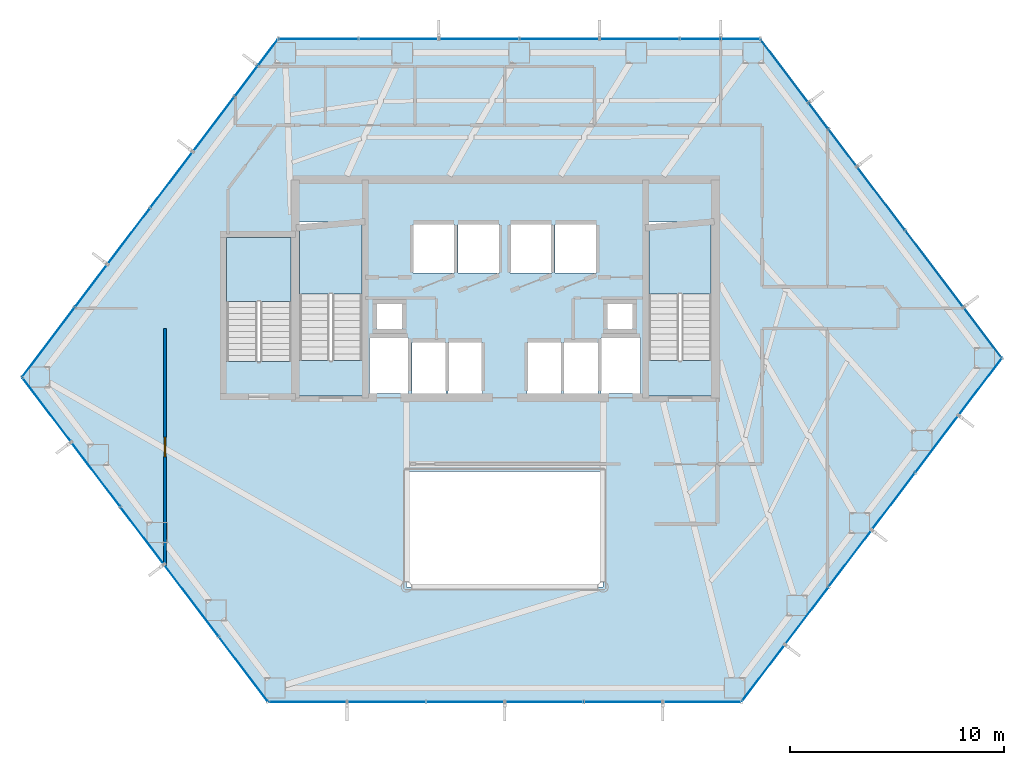
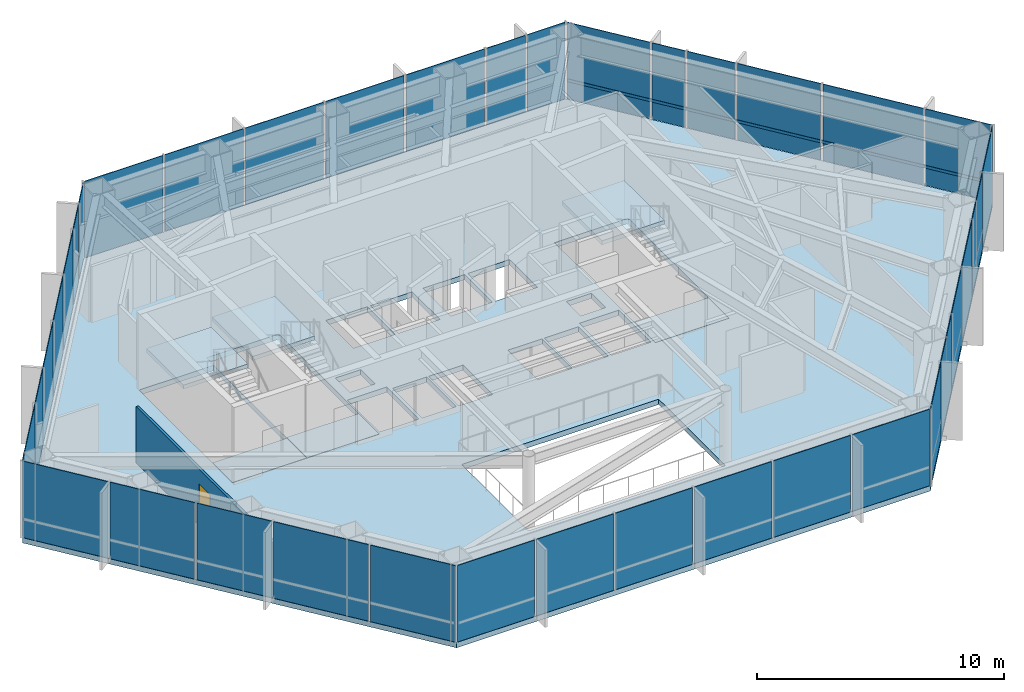
# One storey, part 21 of 25: 37 plates, 7 slabs, 1 door, 1 member, 1 wall, 1 opening, 9 elements without a shape of their own.
"""IFC4 building model written with IfcOpenShell, lengths in metres."""

from ifc_helpers import new_model, si_unit, direction, frame, frame_2d, origin, origin_2d, place, context, subcontext, project, spatial, polyline, rectangle, hollow_rectangle, outline, extrude, material, layer, layer_set, material_profile, profile_set, type_object, element, fill, aggregate, save


model = new_model("IFC4")

# Units and contexts
model_context = context("Model", 3, precision=1e-05, world=origin(), true_north=direction((0.0, 1.0)))
body_context = subcontext(model_context, "Body", "Model", "MODEL_VIEW")
ifc_project = project(units=[si_unit("LENGTHUNIT", "METRE"), si_unit("AREAUNIT", "SQUARE_METRE"), si_unit("VOLUMEUNIT", "CUBIC_METRE"), si_unit("PLANEANGLEUNIT", "RADIAN"), si_unit("MASSUNIT", "GRAM", prefix="KILO")], contexts=[model_context])

# Site, building, storey
site_placement = place(None, origin())
site = spatial("IfcSite", under=ifc_project, at=site_placement, CompositionType="ELEMENT")
building_placement = place(site_placement, origin())
building = spatial("IfcBuilding", under=site, at=building_placement, Name="Zarrinselat Tower", CompositionType="ELEMENT")
storey_placement = place(building_placement, frame((0.0, 0.0, 43.860107421875)))
storey = spatial("IfcBuildingStorey", under=building, at=storey_placement, Name="L10", CompositionType="ELEMENT", Elevation=43.860107421875)

# Curtain wall, member
ifc_material_1 = material(Name="Extruded Aluminium Alloy EN AW-6063 T6", Category="aluminium")
ifc_layer_1 = layer(ifc_material_1, 0.18505859375)
ifc_layer_set_1 = layer_set([ifc_layer_1], Name="Extruded Aluminium Alloy EN AW-6063 T6")
curtain_wall_type = type_object("IfcCurtainWallType", Name="CWS-OFF", PredefinedType="NOTDEFINED", material=ifc_layer_set_1)
curtain_wall_1_placement = place(storey_placement, origin())
curtain_wall_1 = element("IfcCurtainWall", 1, at=curtain_wall_1_placement, inside=storey, type_object=curtain_wall_type, Name="L10 Unitised Curtain Wall CW-L10-E06", PredefinedType="NOTDEFINED")
ifc_material_2 = material(Name="Extruded Aluminium Alloy EN AW-6063 T6", Category="aluminium")
ifc_material_profile = material_profile(ifc_material_2, hollow_rectangle(XDim=0.06005859375, YDim=0.139892578125, WallThickness=0.00390625, at=origin_2d()), Name="RHS 140x60x4")
ifc_profile_set = profile_set([ifc_material_profile], Name="Extruded Aluminium Alloy EN AW-6063 T6")
member_type = type_object("IfcMemberType", Name="MEM-CW-TRN", PredefinedType="USERDEFINED", material=ifc_profile_set)
member_placement = place(storey_placement, frame((61.6083984375, 35.1826171875, 0.949951171875), z_axis=(-0.60385819465, 0.797091764324, 0.0), x_axis=(-0.797091764324, -0.60385819465, 0.0)))
member = element("IfcMember", 2, at=member_placement, type_object=member_type, Name="CW-L10-E06 Transom 1", ObjectType="TRANSOM", PredefinedType="USERDEFINED", context=body_context, shape_type="SweptSolid", body=[
    extrude(hollow_rectangle(XDim=0.06005859375, YDim=0.139892578125, WallThickness=0.00390625, at=origin_2d()), origin(), (0.0, 0.0, 1.0), 18.554931640625),
])

# Curtain wall, plates
curtain_wall_2_placement = place(storey_placement, origin())
curtain_wall_2 = element("IfcCurtainWall", 3, at=curtain_wall_2_placement, inside=storey, type_object=curtain_wall_type, Name="L10 Unitised Curtain Wall CW-L10-E01", PredefinedType="NOTDEFINED")
ifc_material_3 = material(Name="Double Low-E Laminated Solar Glass", Category="glass")
ifc_layer_2 = layer(ifc_material_3, 0.031982421875)
ifc_layer_set_2 = layer_set([ifc_layer_2], Name="Double Low-E Laminated Solar Glass")
plate_type = type_object("IfcPlateType", Name="PLT-CW-GL32", PredefinedType="CURTAIN_PANEL", material=ifc_layer_set_2)
plate_1_placement = place(storey_placement, frame((49.4248046875, 50.04443359375, 0.02001953125), z_axis=(0.0, 0.0, 1.0), x_axis=(-1.0, 0.0, 0.0)))
plate_1 = element("IfcPlate", 4, at=plate_1_placement, type_object=plate_type, Name="CW-L10-E01 Vision Glass Panel 1", PredefinedType="CURTAIN_PANEL", context=body_context, shape_type="SweptSolid", body=[
    extrude(rectangle(XDim=1.74951171875, YDim=0.031982421875, at=origin_2d()), origin(), (0.0, 0.0, 1.0), 3.780029296875),
])
plate_2_placement = place(storey_placement, frame((47.54541015625, 50.04443359375, 0.02001953125), z_axis=(0.0, 0.0, 1.0), x_axis=(-1.0, 0.0, 0.0)))
plate_2 = element("IfcPlate", 5, at=plate_2_placement, type_object=plate_type, Name="CW-L10-E01 Vision Glass Panel 2", PredefinedType="CURTAIN_PANEL", context=body_context, shape_type="SweptSolid", body=[
    extrude(rectangle(XDim=1.80908203125, YDim=0.031982421875, at=origin_2d()), origin(), (0.0, 0.0, 1.0), 3.780029296875),
])
plate_3_placement = place(storey_placement, frame((44.7119140625, 50.04443359375, 0.02001953125), z_axis=(0.0, 0.0, 1.0), x_axis=(-1.0, 0.0, 0.0)))
plate_3 = element("IfcPlate", 6, at=plate_3_placement, type_object=plate_type, Name="CW-L10-E01 Vision Glass Panel 3", PredefinedType="CURTAIN_PANEL", context=body_context, shape_type="SweptSolid", body=[
    extrude(rectangle(XDim=3.658447265625, YDim=0.031982421875, at=origin_2d()), origin(), (0.0, 0.0, 1.0), 3.780029296875),
])
plate_4_placement = place(storey_placement, frame((40.953369140625, 50.04443359375, 0.02001953125), z_axis=(0.0, 0.0, 1.0), x_axis=(-1.0, 0.0, 0.0)))
plate_4 = element("IfcPlate", 7, at=plate_4_placement, type_object=plate_type, Name="CW-L10-E01 Vision Glass Panel 4", PredefinedType="CURTAIN_PANEL", context=body_context, shape_type="SweptSolid", body=[
    extrude(rectangle(XDim=3.658447265625, YDim=0.031982421875, at=origin_2d()), origin(), (0.0, 0.0, 1.0), 3.780029296875),
])
plate_5_placement = place(storey_placement, frame((37.195068359375, 50.04443359375, 0.02001953125), z_axis=(0.0, 0.0, 1.0), x_axis=(-1.0, 0.0, 0.0)))
plate_5 = element("IfcPlate", 8, at=plate_5_placement, type_object=plate_type, Name="CW-L10-E01 Vision Glass Panel 5", PredefinedType="CURTAIN_PANEL", context=body_context, shape_type="SweptSolid", body=[
    extrude(rectangle(XDim=3.658447265625, YDim=0.031982421875, at=origin_2d()), origin(), (0.0, 0.0, 1.0), 3.780029296875),
])
plate_6_placement = place(storey_placement, frame((33.436767578125, 50.04443359375, 0.02001953125), z_axis=(0.0, 0.0, 1.0), x_axis=(-1.0, 0.0, 0.0)))
plate_6 = element("IfcPlate", 9, at=plate_6_placement, type_object=plate_type, Name="CW-L10-E01 Vision Glass Panel 6", PredefinedType="CURTAIN_PANEL", context=body_context, shape_type="SweptSolid", body=[
    extrude(rectangle(XDim=3.658447265625, YDim=0.031982421875, at=origin_2d()), origin(), (0.0, 0.0, 1.0), 3.780029296875),
])
plate_7_placement = place(storey_placement, frame((29.67822265625, 50.04443359375, 0.02001953125), z_axis=(0.0, 0.0, 1.0), x_axis=(-1.0, 0.0, 0.0)))
plate_7 = element("IfcPlate", 10, at=plate_7_placement, type_object=plate_type, Name="CW-L10-E01 Vision Glass Panel 7", PredefinedType="CURTAIN_PANEL", context=body_context, shape_type="SweptSolid", body=[
    extrude(rectangle(XDim=3.658447265625, YDim=0.031982421875, at=origin_2d()), origin(), (0.0, 0.0, 1.0), 3.780029296875),
])
aggregate(curtain_wall_2, [plate_1, plate_2, plate_3, plate_4, plate_5, plate_6, plate_7])

curtain_wall_3_placement = place(storey_placement, origin())
curtain_wall_3 = element("IfcCurtainWall", 11, at=curtain_wall_3_placement, inside=storey, type_object=curtain_wall_type, Name="L10 Unitised Curtain Wall CW-L10-E02", PredefinedType="NOTDEFINED")
plate_8_placement = place(storey_placement, frame((27.322509765625, 49.415283203125, 0.02001953125), z_axis=(0.0, 0.0, 1.0), x_axis=(-0.603856912101, -0.797092735952, 0.0)))
plate_8 = element("IfcPlate", 12, at=plate_8_placement, type_object=plate_type, Name="CW-L10-E02 Vision Glass Panel 1", PredefinedType="CURTAIN_PANEL", context=body_context, shape_type="SweptSolid", body=[
    extrude(rectangle(XDim=1.478515625, YDim=0.031982421875, at=origin_2d()), origin(), (0.0, 0.0, 1.0), 3.780029296875),
])
plate_9_placement = place(storey_placement, frame((26.299072265625, 48.064208984375, 0.02001953125), z_axis=(0.0, 0.0, 1.0), x_axis=(-0.603856912101, -0.797092735952, 0.0)))
plate_9 = element("IfcPlate", 13, at=plate_9_placement, type_object=plate_type, Name="CW-L10-E02 Vision Glass Panel 2", PredefinedType="CURTAIN_PANEL", context=body_context, shape_type="SweptSolid", body=[
    extrude(rectangle(XDim=1.711181640625, YDim=0.031982421875, at=origin_2d()), origin(), (0.0, 0.0, 1.0), 3.780029296875),
])
plate_10_placement = place(storey_placement, frame((24.777587890625, 46.05615234375, 0.02001953125), z_axis=(0.0, 0.0, 1.0), x_axis=(-0.603856912101, -0.797092735952, 0.0)))
plate_10 = element("IfcPlate", 14, at=plate_10_placement, type_object=plate_type, Name="CW-L10-E02 Vision Glass Panel 3", PredefinedType="CURTAIN_PANEL", context=body_context, shape_type="SweptSolid", body=[
    extrude(rectangle(XDim=3.12744140625, YDim=0.031982421875, at=origin_2d()), origin(), (0.0, 0.0, 1.0), 3.780029296875),
])
plate_11_placement = place(storey_placement, frame((22.80419921875, 43.451416015625, 0.02001953125), z_axis=(0.0, 0.0, 1.0), x_axis=(-0.603856912101, -0.797092735952, 0.0)))
plate_11 = element("IfcPlate", 15, at=plate_11_placement, type_object=plate_type, Name="CW-L10-E02 Vision Glass Panel 4", PredefinedType="CURTAIN_PANEL", context=body_context, shape_type="SweptSolid", body=[
    extrude(rectangle(XDim=3.20849609375, YDim=0.031982421875, at=origin_2d()), origin(), (0.0, 0.0, 1.0), 3.780029296875),
])
plate_12_placement = place(storey_placement, frame((20.806396484375, 40.814208984375, 0.02001953125), z_axis=(0.0, 0.0, 1.0), x_axis=(-0.603856912101, -0.797092735952, 0.0)))
plate_12 = element("IfcPlate", 16, at=plate_12_placement, type_object=plate_type, Name="CW-L10-E02 Vision Glass Panel 5", PredefinedType="CURTAIN_PANEL", context=body_context, shape_type="SweptSolid", body=[
    extrude(rectangle(XDim=3.20849609375, YDim=0.031982421875, at=origin_2d()), origin(), (0.0, 0.0, 1.0), 3.780029296875),
])
plate_13_placement = place(storey_placement, frame((19.04638671875, 38.490966796875, 0.02001953125), z_axis=(0.0, 0.0, 1.0), x_axis=(-0.603856912101, -0.797092735952, 0.0)))
plate_13 = element("IfcPlate", 17, at=plate_13_placement, type_object=plate_type, Name="CW-L10-E02 Vision Glass Panel 6", PredefinedType="CURTAIN_PANEL", context=body_context, shape_type="SweptSolid", body=[
    extrude(rectangle(XDim=2.420654296875, YDim=0.031982421875, at=origin_2d()), origin(), (0.0, 0.0, 1.0), 3.780029296875),
])
plate_14_placement = place(storey_placement, frame((17.048583984375, 35.853515625, 0.02001953125), z_axis=(0.0, 0.0, 1.0), x_axis=(-0.603856912101, -0.797092735952, 0.0)))
plate_14 = element("IfcPlate", 18, at=plate_14_placement, type_object=plate_type, Name="CW-L10-E02 Vision Glass Panel 7", PredefinedType="CURTAIN_PANEL", context=body_context, shape_type="SweptSolid", body=[
    extrude(rectangle(XDim=3.996337890625, YDim=0.031982421875, at=origin_2d()), origin(), (0.0, 0.0, 1.0), 3.780029296875),
])
aggregate(curtain_wall_3, [plate_8, plate_9, plate_10, plate_11, plate_12, plate_13, plate_14])

curtain_wall_4_placement = place(storey_placement, origin())
curtain_wall_4 = element("IfcCurtainWall", 19, at=curtain_wall_4_placement, inside=storey, type_object=curtain_wall_type, Name="L10 Unitised Curtain Wall CW-L10-E03", PredefinedType="NOTDEFINED")
plate_15_placement = place(storey_placement, frame((16.963134765625, 32.701171875, 0.02001953125), z_axis=(0.0, 0.0, 1.0), x_axis=(0.603857284091, -0.797092454142, 0.0)))
plate_15 = element("IfcPlate", 20, at=plate_15_placement, type_object=plate_type, Name="CW-L10-E03 Vision Glass Panel 1", PredefinedType="CURTAIN_PANEL", context=body_context, shape_type="SweptSolid", body=[
    extrude(rectangle(XDim=3.71337890625, YDim=0.031982421875, at=origin_2d()), origin(), (0.0, 0.0, 1.0), 3.780029296875),
])
plate_16_placement = place(storey_placement, frame((19.265869140625, 29.66162109375, 0.02001953125), z_axis=(0.0, 0.0, 1.0), x_axis=(0.603857284091, -0.797092454142, 0.0)))
plate_16 = element("IfcPlate", 21, at=plate_16_placement, type_object=plate_type, Name="CW-L10-E03 Vision Glass Panel 2", PredefinedType="CURTAIN_PANEL", context=body_context, shape_type="SweptSolid", body=[
    extrude(rectangle(XDim=3.71337890625, YDim=0.031982421875, at=origin_2d()), origin(), (0.0, 0.0, 1.0), 3.780029296875),
])
plate_17_placement = place(storey_placement, frame((21.434814453125, 26.798583984375, 0.02001953125), z_axis=(0.0, 0.0, 1.0), x_axis=(0.603857284091, -0.797092454142, 0.0)))
plate_17 = element("IfcPlate", 22, at=plate_17_placement, type_object=plate_type, Name="CW-L10-E03 Vision Glass Panel 3", PredefinedType="CURTAIN_PANEL", context=body_context, shape_type="SweptSolid", body=[
    extrude(rectangle(XDim=3.27001953125, YDim=0.031982421875, at=origin_2d()), origin(), (0.0, 0.0, 1.0), 3.780029296875),
])
plate_18_placement = place(storey_placement, frame((23.7373046875, 23.759033203125, 0.02001953125), z_axis=(0.0, 0.0, 1.0), x_axis=(0.603857284091, -0.797092454142, 0.0)))
plate_18 = element("IfcPlate", 23, at=plate_18_placement, type_object=plate_type, Name="CW-L10-E03 Vision Glass Panel 4", PredefinedType="CURTAIN_PANEL", context=body_context, shape_type="SweptSolid", body=[
    extrude(rectangle(XDim=4.15673828125, YDim=0.031982421875, at=origin_2d()), origin(), (0.0, 0.0, 1.0), 3.780029296875),
])
plate_19_placement = place(storey_placement, frame((26.174072265625, 20.542724609375, 0.02001953125), z_axis=(0.0, 0.0, 1.0), x_axis=(0.603857284091, -0.797092454142, 0.0)))
plate_19 = element("IfcPlate", 24, at=plate_19_placement, type_object=plate_type, Name="CW-L10-E03 Vision Glass Panel 5", PredefinedType="CURTAIN_PANEL", context=body_context, shape_type="SweptSolid", body=[
    extrude(rectangle(XDim=3.71337890625, YDim=0.031982421875, at=origin_2d()), origin(), (0.0, 0.0, 1.0), 3.780029296875),
])
aggregate(curtain_wall_4, [plate_15, plate_16, plate_17, plate_18, plate_19])

curtain_wall_5_placement = place(storey_placement, origin())
curtain_wall_5 = element("IfcCurtainWall", 25, at=curtain_wall_5_placement, inside=storey, type_object=curtain_wall_type, Name="L10 Unitised Curtain Wall CW-L10-E04", PredefinedType="NOTDEFINED")
plate_20_placement = place(storey_placement, frame((29.171142578125, 19.02294921875, 0.02001953125), z_axis=(0.0, 0.0, 1.0), x_axis=(1.0, 0.0, 0.0)))
plate_20 = element("IfcPlate", 26, at=plate_20_placement, type_object=plate_type, Name="CW-L10-E04 Vision Glass Panel 1", PredefinedType="CURTAIN_PANEL", context=body_context, shape_type="SweptSolid", body=[
    extrude(rectangle(XDim=3.591552734375, YDim=0.031982421875, at=origin_2d()), origin(), (0.0, 0.0, 1.0), 3.780029296875),
])
plate_21_placement = place(storey_placement, frame((32.86279296875, 19.02294921875, 0.02001953125), z_axis=(0.0, 0.0, 1.0), x_axis=(1.0, 0.0, 0.0)))
plate_21 = element("IfcPlate", 27, at=plate_21_placement, type_object=plate_type, Name="CW-L10-E04 Vision Glass Panel 2", PredefinedType="CURTAIN_PANEL", context=body_context, shape_type="SweptSolid", body=[
    extrude(rectangle(XDim=3.591552734375, YDim=0.031982421875, at=origin_2d()), origin(), (0.0, 0.0, 1.0), 3.780029296875),
])
plate_22_placement = place(storey_placement, frame((36.55419921875, 19.02294921875, 0.02001953125), z_axis=(0.0, 0.0, 1.0), x_axis=(1.0, 0.0, 0.0)))
plate_22 = element("IfcPlate", 28, at=plate_22_placement, type_object=plate_type, Name="CW-L10-E04 Vision Glass Panel 3", PredefinedType="CURTAIN_PANEL", context=body_context, shape_type="SweptSolid", body=[
    extrude(rectangle(XDim=3.591552734375, YDim=0.031982421875, at=origin_2d()), origin(), (0.0, 0.0, 1.0), 3.780029296875),
])
plate_23_placement = place(storey_placement, frame((40.245849609375, 19.02294921875, 0.02001953125), z_axis=(0.0, 0.0, 1.0), x_axis=(1.0, 0.0, 0.0)))
plate_23 = element("IfcPlate", 29, at=plate_23_placement, type_object=plate_type, Name="CW-L10-E04 Vision Glass Panel 4", PredefinedType="CURTAIN_PANEL", context=body_context, shape_type="SweptSolid", body=[
    extrude(rectangle(XDim=3.591552734375, YDim=0.031982421875, at=origin_2d()), origin(), (0.0, 0.0, 1.0), 3.780029296875),
])
plate_24_placement = place(storey_placement, frame((43.937255859375, 19.02294921875, 0.02001953125), z_axis=(0.0, 0.0, 1.0), x_axis=(1.0, 0.0, 0.0)))
plate_24 = element("IfcPlate", 30, at=plate_24_placement, type_object=plate_type, Name="CW-L10-E04 Vision Glass Panel 5", PredefinedType="CURTAIN_PANEL", context=body_context, shape_type="SweptSolid", body=[
    extrude(rectangle(XDim=3.591552734375, YDim=0.031982421875, at=origin_2d()), origin(), (0.0, 0.0, 1.0), 3.780029296875),
])
plate_25_placement = place(storey_placement, frame((47.62890625, 19.02294921875, 0.02001953125), z_axis=(0.0, 0.0, 1.0), x_axis=(1.0, 0.0, 0.0)))
plate_25 = element("IfcPlate", 31, at=plate_25_placement, type_object=plate_type, Name="CW-L10-E04 Vision Glass Panel 6", PredefinedType="CURTAIN_PANEL", context=body_context, shape_type="SweptSolid", body=[
    extrude(rectangle(XDim=3.591552734375, YDim=0.031982421875, at=origin_2d()), origin(), (0.0, 0.0, 1.0), 3.780029296875),
])
aggregate(curtain_wall_5, [plate_20, plate_21, plate_22, plate_23, plate_24, plate_25])

curtain_wall_6_placement = place(storey_placement, origin())
curtain_wall_6 = element("IfcCurtainWall", 32, at=curtain_wall_6_placement, inside=storey, type_object=curtain_wall_type, Name="L10 Unitised Curtain Wall CW-L10-E05", PredefinedType="NOTDEFINED")
plate_26_placement = place(storey_placement, frame((50.490234375, 20.363525390625, 0.02001953125), z_axis=(0.0, 0.0, 1.0), x_axis=(0.603859118859, 0.797091064164, 0.0)))
plate_26 = element("IfcPlate", 33, at=plate_26_placement, type_object=plate_type, Name="CW-L10-E05 Vision Glass Panel 1", PredefinedType="CURTAIN_PANEL", context=body_context, shape_type="SweptSolid", body=[
    extrude(rectangle(XDim=3.263916015625, YDim=0.031982421875, at=origin_2d()), origin(), (0.0, 0.0, 1.0), 3.780029296875),
])
plate_27_placement = place(storey_placement, frame((52.52685546875, 23.052001953125, 0.02001953125), z_axis=(0.0, 0.0, 1.0), x_axis=(0.603859118859, 0.797091064164, 0.0)))
plate_27 = element("IfcPlate", 34, at=plate_27_placement, type_object=plate_type, Name="CW-L10-E05 Vision Glass Panel 2", PredefinedType="CURTAIN_PANEL", context=body_context, shape_type="SweptSolid", body=[
    extrude(rectangle(XDim=3.281494140625, YDim=0.031982421875, at=origin_2d()), origin(), (0.0, 0.0, 1.0), 3.780029296875),
])
plate_28_placement = place(storey_placement, frame((54.55810546875, 25.7333984375, 0.02001953125), z_axis=(0.0, 0.0, 1.0), x_axis=(0.603859118859, 0.797091064164, 0.0)))
plate_28 = element("IfcPlate", 35, at=plate_28_placement, type_object=plate_type, Name="CW-L10-E05 Vision Glass Panel 3", PredefinedType="CURTAIN_PANEL", context=body_context, shape_type="SweptSolid", body=[
    extrude(rectangle(XDim=3.246337890625, YDim=0.031982421875, at=origin_2d()), origin(), (0.0, 0.0, 1.0), 3.780029296875),
])
plate_29_placement = place(storey_placement, frame((56.584228515625, 28.40771484375, 0.02001953125), z_axis=(0.0, 0.0, 1.0), x_axis=(0.603859118859, 0.797091064164, 0.0)))
plate_29 = element("IfcPlate", 36, at=plate_29_placement, type_object=plate_type, Name="CW-L10-E05 Vision Glass Panel 4", PredefinedType="CURTAIN_PANEL", context=body_context, shape_type="SweptSolid", body=[
    extrude(rectangle(XDim=3.263916015625, YDim=0.031982421875, at=origin_2d()), origin(), (0.0, 0.0, 1.0), 3.780029296875),
])
plate_30_placement = place(storey_placement, frame((58.615478515625, 31.089111328125, 0.02001953125), z_axis=(0.0, 0.0, 1.0), x_axis=(0.603859118859, 0.797091064164, 0.0)))
plate_30 = element("IfcPlate", 37, at=plate_30_placement, type_object=plate_type, Name="CW-L10-E05 Vision Glass Panel 5", PredefinedType="CURTAIN_PANEL", context=body_context, shape_type="SweptSolid", body=[
    extrude(rectangle(XDim=3.263916015625, YDim=0.031982421875, at=origin_2d()), origin(), (0.0, 0.0, 1.0), 3.780029296875),
])
plate_31_placement = place(storey_placement, frame((60.64697265625, 33.770263671875, 0.02001953125), z_axis=(0.0, 0.0, 1.0), x_axis=(0.603859118859, 0.797091064164, 0.0)))
plate_31 = element("IfcPlate", 38, at=plate_31_placement, type_object=plate_type, Name="CW-L10-E05 Vision Glass Panel 6", PredefinedType="CURTAIN_PANEL", context=body_context, shape_type="SweptSolid", body=[
    extrude(rectangle(XDim=3.263916015625, YDim=0.031982421875, at=origin_2d()), origin(), (0.0, 0.0, 1.0), 3.780029296875),
])
aggregate(curtain_wall_6, [plate_26, plate_27, plate_28, plate_29, plate_30, plate_31])

# Plate
plate_32_placement = place(storey_placement, frame((60.762939453125, 36.298583984375, 0.02001953125), z_axis=(0.0, 0.0, 1.0), x_axis=(-0.603858304597, 0.797091681031, 0.0)))
plate_32 = element("IfcPlate", 39, at=plate_32_placement, type_object=plate_type, Name="CW-L10-E06 Vision Glass Panel 1", PredefinedType="CURTAIN_PANEL", context=body_context, shape_type="SweptSolid", body=[
    extrude(rectangle(XDim=2.8798828125, YDim=0.031982421875, at=origin_2d()), origin(), (0.0, 0.0, 1.0), 3.780029296875),
])

plate_33_placement = place(storey_placement, frame((58.500244140625, 39.285400390625, 0.02001953125), z_axis=(0.0, 0.0, 1.0), x_axis=(-0.603858304597, 0.797091681031, 0.0)))
plate_33 = element("IfcPlate", 40, at=plate_33_placement, type_object=plate_type, Name="CW-L10-E06 Vision Glass Panel 2", PredefinedType="CURTAIN_PANEL", context=body_context, shape_type="SweptSolid", body=[
    extrude(rectangle(XDim=4.4140625, YDim=0.031982421875, at=origin_2d()), origin(), (0.0, 0.0, 1.0), 3.780029296875),
])

plate_34_placement = place(storey_placement, frame((56.006103515625, 42.57763671875, 0.02001953125), z_axis=(0.0, 0.0, 1.0), x_axis=(-0.603858304597, 0.797091681031, 0.0)))
plate_34 = element("IfcPlate", 41, at=plate_34_placement, type_object=plate_type, Name="CW-L10-E06 Vision Glass Panel 3", PredefinedType="CURTAIN_PANEL", context=body_context, shape_type="SweptSolid", body=[
    extrude(rectangle(XDim=3.64697265625, YDim=0.031982421875, at=origin_2d()), origin(), (0.0, 0.0, 1.0), 3.780029296875),
])

plate_35_placement = place(storey_placement, frame((54.211181640625, 44.94677734375, 0.02001953125), z_axis=(0.0, 0.0, 1.0), x_axis=(-0.603858304597, 0.797091681031, 0.0)))
plate_35 = element("IfcPlate", 42, at=plate_35_placement, type_object=plate_type, Name="CW-L10-E06 Vision Glass Panel 4", PredefinedType="CURTAIN_PANEL", context=body_context, shape_type="SweptSolid", body=[
    extrude(rectangle(XDim=2.097412109375, YDim=0.031982421875, at=origin_2d()), origin(), (0.0, 0.0, 1.0), 3.780029296875),
])

plate_36_placement = place(storey_placement, frame((53.079833984375, 46.440185546875, 0.02001953125), z_axis=(0.0, 0.0, 1.0), x_axis=(-0.603858304597, 0.797091681031, 0.0)))
plate_36 = element("IfcPlate", 43, at=plate_36_placement, type_object=plate_type, Name="CW-L10-E06 Vision Glass Panel 5", PredefinedType="CURTAIN_PANEL", context=body_context, shape_type="SweptSolid", body=[
    extrude(rectangle(XDim=1.44970703125, YDim=0.031982421875, at=origin_2d()), origin(), (0.0, 0.0, 1.0), 3.780029296875),
])

plate_37_placement = place(storey_placement, frame((51.480712890625, 48.551025390625, 0.02001953125), z_axis=(0.0, 0.0, 1.0), x_axis=(-0.603858304597, 0.797091681031, 0.0)))
plate_37 = element("IfcPlate", 44, at=plate_37_placement, type_object=plate_type, Name="CW-L10-E06 Vision Glass Panel 6", PredefinedType="CURTAIN_PANEL", context=body_context, shape_type="SweptSolid", body=[
    extrude(rectangle(XDim=3.64697265625, YDim=0.031982421875, at=origin_2d()), origin(), (0.0, 0.0, 1.0), 3.780029296875),
])

aggregate(curtain_wall_1, [member, plate_32, plate_33, plate_34, plate_35, plate_36, plate_37])

# Slabs
ifc_material_4 = material(Name="Concrete C40/50", Category="concrete")
ifc_layer_3 = layer(ifc_material_4, 0.260009765625)
ifc_layer_set_3 = layer_set([ifc_layer_3], Name="Concrete C40/50")
slab_type_1 = type_object("IfcSlabType", Name="SLB-FLOOR-260-SL-OF260", PredefinedType="FLOOR", material=ifc_layer_set_3)
slab_1_placement = place(storey_placement, frame((0.0, 0.0, -0.260009765625)))
element("IfcSlab", 45, at=slab_1_placement, inside=storey, type_object=slab_type_1, Name="L10 Primary Structural Slab", PredefinedType="FLOOR", context=body_context, shape_type="SweptSolid", body=[
    extrude(outline(polyline([(50.349365234375, 50.04443359375), (27.799072265625, 50.04443359375), (15.811767578125, 34.220947265625), (27.325439453125, 19.02294921875), (49.474609375, 19.02294921875), (61.66259765625, 35.111083984375), (50.349365234375, 50.04443359375)]), holes=[polyline([(34.050048828125, 33.449951171875), (34.050048828125, 35.85009765625), (35.64990234375, 35.85009765625), (35.64990234375, 33.449951171875), (34.050048828125, 33.449951171875)]), polyline([(35.75, 33.449951171875), (35.75, 35.85009765625), (37.35009765625, 35.85009765625), (37.35009765625, 33.449951171875), (35.75, 33.449951171875)]), polyline([(32.06005859375, 33.449951171875), (32.06005859375, 36.050048828125), (33.89990234375, 36.050048828125), (33.89990234375, 33.449951171875), (32.06005859375, 33.449951171875)]), polyline([(32.419921875, 36.47998046875), (32.419921875, 37.639892578125), (33.60009765625, 37.639892578125), (33.60009765625, 36.47998046875), (32.419921875, 36.47998046875)]), polyline([(28.594970703125, 33.324951171875), (25.114990234375, 33.324951171875), (25.114990234375, 40.875), (28.594970703125, 40.875), (28.594970703125, 33.324951171875)]), polyline([(31.985107421875, 33.324951171875), (28.60498046875, 33.324951171875), (28.60498046875, 41.47509765625), (31.985107421875, 41.47509765625), (31.985107421875, 33.324951171875)]), polyline([(34.10009765625, 39.10009765625), (34.10009765625, 41.35009765625), (36.050048828125, 41.35009765625), (36.050048828125, 39.10009765625), (34.10009765625, 39.10009765625)]), polyline([(36.199951171875, 39.10009765625), (36.199951171875, 41.35009765625), (38.14990234375, 41.35009765625), (38.14990234375, 39.10009765625), (36.199951171875, 39.10009765625)]), polyline([(33.800048828125, 24.39990234375), (33.800048828125, 29.800048828125), (43.0, 29.800048828125), (43.0, 24.39990234375), (33.800048828125, 24.39990234375)]), polyline([(39.449951171875, 33.449951171875), (39.449951171875, 35.85009765625), (41.050048828125, 35.85009765625), (41.050048828125, 33.449951171875), (39.449951171875, 33.449951171875)]), polyline([(41.14990234375, 33.449951171875), (41.14990234375, 35.85009765625), (42.75, 35.85009765625), (42.75, 33.449951171875), (41.14990234375, 33.449951171875)]), polyline([(42.89990234375, 33.449951171875), (42.89990234375, 36.050048828125), (44.739990234375, 36.050048828125), (44.739990234375, 33.449951171875), (42.89990234375, 33.449951171875)]), polyline([(43.199951171875, 36.47998046875), (43.199951171875, 37.639892578125), (44.3798828125, 37.639892578125), (44.3798828125, 36.47998046875), (43.199951171875, 36.47998046875)]), polyline([(48.324951171875, 33.324951171875), (44.875, 33.324951171875), (44.875, 41.47509765625), (48.324951171875, 41.47509765625), (48.324951171875, 33.324951171875)]), polyline([(38.64990234375, 39.10009765625), (38.64990234375, 41.35009765625), (40.60009765625, 41.35009765625), (40.60009765625, 39.10009765625), (38.64990234375, 39.10009765625)]), polyline([(40.75, 39.10009765625), (40.75, 41.35009765625), (42.699951171875, 41.35009765625), (42.699951171875, 39.10009765625), (40.75, 39.10009765625)])]), origin(), (0.0, 0.0, 1.0), 0.260009765625),
])
slab_2_placement = place(storey_placement, frame((0.0, 0.0, -0.260009765625)))
element("IfcSlab", 46, at=slab_2_placement, inside=storey, type_object=slab_type_1, Name="L10 Stair ST-1-FL1 Structural Floor Landing", PredefinedType="FLOOR", context=body_context, shape_type="SweptSolid", body=[
    extrude(outline(polyline([(31.97998046875, 33.330078125), (31.97998046875, 35.0), (28.610107421875, 35.0), (28.610107421875, 33.330078125), (31.97998046875, 33.330078125)])), origin(), (0.0, 0.0, 1.0), 0.260009765625),
])
slab_3_placement = place(storey_placement, frame((0.0, 0.0, -0.260009765625)))
element("IfcSlab", 47, at=slab_3_placement, inside=storey, type_object=slab_type_1, Name="L10 Stair ST-2-FL1 Structural Floor Landing", PredefinedType="FLOOR", context=body_context, shape_type="SweptSolid", body=[
    extrude(outline(polyline([(48.320068359375, 33.330078125), (48.320068359375, 35.0), (44.8798828125, 35.0), (44.8798828125, 33.330078125), (48.320068359375, 33.330078125)])), origin(), (0.0, 0.0, 1.0), 0.260009765625),
])
slab_4_placement = place(storey_placement, frame((0.0, 0.0, -0.260009765625)))
element("IfcSlab", 48, at=slab_4_placement, inside=storey, type_object=slab_type_1, Name="L10 Stair ST-3-FL1 Structural Floor Landing", PredefinedType="FLOOR", context=body_context, shape_type="SweptSolid", body=[
    extrude(outline(polyline([(28.590087890625, 33.330078125), (28.590087890625, 34.949951171875), (25.1201171875, 34.949951171875), (25.1201171875, 33.330078125), (28.590087890625, 33.330078125)])), origin(), (0.0, 0.0, 1.0), 0.260009765625),
])

# Stair, slab
ifc_material_5 = material(Name="Concrete C40/50", Category="concrete")
stair_type_1 = type_object("IfcStairType", Name="STR-CORE-145", PredefinedType="HALF_TURN_STAIR", material=ifc_material_5)
stair_1_placement = place(storey_placement, origin())
stair_1 = element("IfcStair", 49, at=stair_1_placement, inside=storey, type_object=stair_type_1, Name="L10 Podium & Mid-Tower Exit Stair 3", PredefinedType="HALF_TURN_STAIR")
ifc_material_6 = material(Name="Concrete C40/50", Category="concrete")
ifc_layer_4 = layer(ifc_material_6, 0.1650390625)
ifc_layer_set_4 = layer_set([ifc_layer_4], Name="Concrete C40/50")
slab_type_2 = type_object("IfcSlabType", Name="SLB-LND-165", PredefinedType="LANDING", material=ifc_layer_set_4)
slab_5_placement = place(storey_placement, frame((0.0, 0.0, 1.83984375)))
slab_5 = element("IfcSlab", 50, at=slab_5_placement, type_object=slab_type_2, Name="ST-3 landing 1", PredefinedType="LANDING", context=body_context, shape_type="SweptSolid", body=[
    extrude(outline(polyline([(28.39990234375, 37.75), (28.39990234375, 40.75), (25.3798828125, 40.75), (25.3798828125, 37.75), (28.39990234375, 37.75)])), origin(), (0.0, 0.0, 1.0), 0.199951171875),
])
aggregate(stair_1, [slab_5])

ifc_material_7 = material(Name="Concrete C40/50", Category="concrete")
stair_type_2 = type_object("IfcStairType", Name="STR-CORE-155", PredefinedType="HALF_TURN_STAIR", material=ifc_material_7)
stair_2_placement = place(storey_placement, origin())
stair_2 = element("IfcStair", 51, at=stair_2_placement, inside=storey, type_object=stair_type_2, Name="L10 Core Exit Stair 1", PredefinedType="HALF_TURN_STAIR")
ifc_material_8 = material(Name="Concrete C40/50", Category="concrete")
ifc_layer_5 = layer(ifc_material_8, 0.18994140625)
ifc_layer_set_5 = layer_set([ifc_layer_5], Name="Concrete C40/50")
slab_type_3 = type_object("IfcSlabType", Name="SLB-LND-190", PredefinedType="LANDING", material=ifc_layer_set_5)
slab_6_placement = place(storey_placement, frame((0.0, 0.0, 1.83984375)))
slab_6 = element("IfcSlab", 52, at=slab_6_placement, type_object=slab_type_3, Name="ST-1 landing 1", PredefinedType="LANDING", context=body_context, shape_type="SweptSolid", body=[
    extrude(outline(polyline([(31.719970703125, 38.10009765625), (31.719970703125, 41.35009765625), (28.800048828125, 41.35009765625), (28.800048828125, 38.10009765625), (31.719970703125, 38.10009765625)])), origin(), (0.0, 0.0, 1.0), 0.199951171875),
])
aggregate(stair_2, [slab_6])

stair_3_placement = place(storey_placement, origin())
stair_3 = element("IfcStair", 53, at=stair_3_placement, inside=storey, type_object=stair_type_2, Name="L10 Core Exit Stair 2", PredefinedType="HALF_TURN_STAIR")
slab_7_placement = place(storey_placement, frame((0.0, 0.0, 1.83984375)))
slab_7 = element("IfcSlab", 54, at=slab_7_placement, type_object=slab_type_3, Name="ST-2 landing 1", PredefinedType="LANDING", context=body_context, shape_type="SweptSolid", body=[
    extrude(outline(polyline([(48.06005859375, 38.10009765625), (48.06005859375, 41.35009765625), (45.139892578125, 41.35009765625), (45.139892578125, 38.10009765625), (48.06005859375, 38.10009765625)])), origin(), (0.0, 0.0, 1.0), 0.199951171875),
])
aggregate(stair_3, [slab_7])

# Wall, opening, door
ifc_material_9 = material(Name="Fire-Rated Gypsum Board Partition", Category="gypsum")
ifc_layer_6 = layer(ifc_material_9, 0.1201171875)
ifc_layer_set_6 = layer_set([ifc_layer_6], Name="Fire-Rated Gypsum Board Partition")
wall_type = type_object("IfcWallType", Name="WAL-PART-STD", PredefinedType="PARTITIONING", material=ifc_layer_set_6)
wall_placement = place(storey_placement, frame((22.5, 25.407470703125, 0.0), z_axis=(0.0, 0.0, 1.0), x_axis=(0.0, 1.0, 0.0)))
wall = element("IfcWall", 55, at=wall_placement, inside=storey, type_object=wall_type, Name="L10 Partition Wall 42", PredefinedType="PARTITIONING", context=body_context, shape_type="SweptSolid", body=[
    extrude(rectangle(XDim=11.092529296875, YDim=0.1201171875, at=frame_2d((5.54638671875, 0.0))), origin(), (0.0, 0.0, 1.0), 2.77685546875),
])
opening_placement = place(wall_placement, frame((5.09619140625, 0.0, 0.0)))
opening = element("IfcOpeningElement", 56, at=opening_placement, cuts=wall, Name="Opening ID-05", PredefinedType="OPENING", context=body_context, shape_type="SweptSolid", body=[
    extrude(rectangle(XDim=0.89990234375, YDim=2.050048828125, at=frame_2d((0.449951171875, 1.02490234375))), frame((0.0, 0.070068359375, 0.0), z_axis=(0.0, -1.0, 0.0), x_axis=(1.0, 0.0, 0.0)), (0.0, 0.0, 1.0), 0.14013671875),
])
ifc_material_10 = material(Name="Extruded Aluminium Alloy EN AW-6063 T6", Category="aluminium")
door_type = type_object("IfcDoorType", Name="DR-INT-STD-920", OperationType="NOTDEFINED", PredefinedType="DOOR", material=ifc_material_10)
door_placement = place(opening_placement, origin())
door = element("IfcDoor", 57, at=door_placement, inside=storey, type_object=door_type, Name="L10 Interior Door P42", OperationType="SINGLE_SWING_RIGHT", OverallHeight=2.050048828125, OverallWidth=0.89990234375, PredefinedType="DOOR", context=body_context, shape_type="SweptSolid", body=[
    extrude(rectangle(XDim=0.89990234375, YDim=2.050048828125, at=frame_2d((0.449951171875, 1.02490234375))), frame((0.0, 0.02490234375, 0.0), z_axis=(0.0, -1.0, 0.0), x_axis=(1.0, 0.0, 0.0)), (0.0, 0.0, 1.0), 0.050048828125),
])
fill(opening, door)

save(model, "model.ifc")
